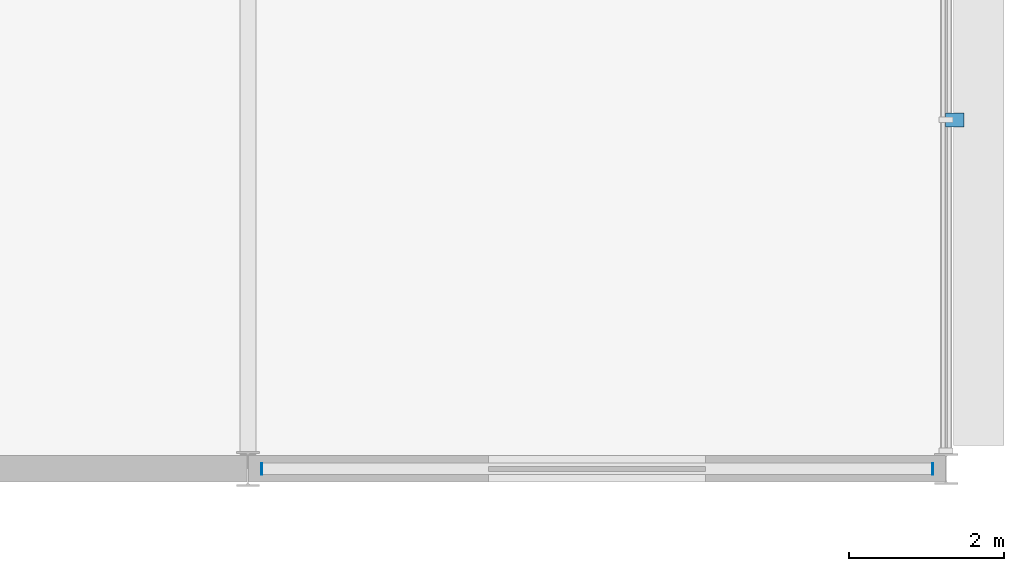
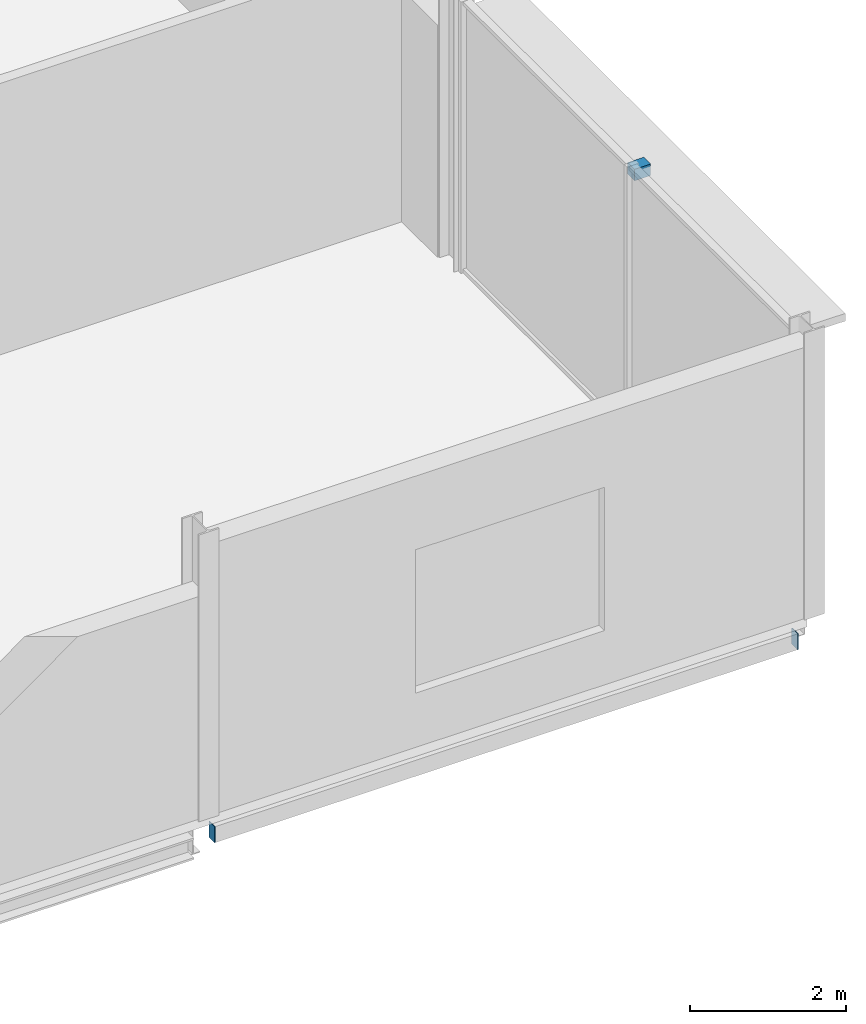
# One storey, part 56 of 73: 3 discrete accessories.
"""IFC4 building model written with IfcOpenShell, lengths in metres."""

import ifcopenshell
import ifcopenshell.guid

model = None  # the IFC model being written
_history = None  # IfcOwnerHistory: only IFC2X3 demands one
_inside = {}  # id of a spatial element -> (the spatial element, [elements in it])
_under = {}  # id of a project, library or spatial element -> (it, [spatial elements below it])
_declared = {}  # id of a project -> (the project, [libraries it declares])
_typed = {}  # id of a type object -> (the type object, [elements of that type])
_made_of = {}  # id of a material, layer set ... -> (it, [elements and type objects made of it])


def new_model(schema):
    """Start an empty IFC model of exactly this schema.

    Asked for "IFC4X3", IfcOpenShell would pick the latest addendum, in which some entities
    have other attributes; the version numbers below select the first issue.
    IFC2X3 requires an IfcOwnerHistory on every rooted entity: one is made here for all.
    """
    global model, _history
    if schema == "IFC4X3":
        model = ifcopenshell.file(schema_version=(4, 3, 0, 0))
    else:
        model = ifcopenshell.file(schema=schema)
    _inside.clear()
    _under.clear()
    _declared.clear()
    _typed.clear()
    _made_of.clear()
    _history = None
    if model.schema == "IFC2X3":
        org = make("IfcOrganization", Name="unknown")
        user = make(
            "IfcPersonAndOrganization",
            ThePerson=make("IfcPerson", FamilyName="unknown"),
            TheOrganization=org,
        )
        app = make(
            "IfcApplication",
            ApplicationDeveloper=org,
            Version="unknown",
            ApplicationFullName="unknown",
            ApplicationIdentifier="unknown",
        )
        _history = make(
            "IfcOwnerHistory",
            OwningUser=user,
            OwningApplication=app,
            ChangeAction="ADDED",
            CreationDate=0,
        )
    return model


def make(cls, **values):
    """One entity of the class cls with the attributes given. An attribute that is None is left unset."""
    return model.create_entity(
        cls, **{name: value for name, value in values.items() if value is not None}
    )


def rooted(cls, **values):
    """An entity with a GlobalId (a new one), such as an element, a storey or a relation."""
    return make(cls, GlobalId=ifcopenshell.guid.new(), OwnerHistory=_history, **values)


def si_unit(unit_type, name, prefix=None):
    """IfcSIUnit, for example si_unit("LENGTHUNIT", "METRE", prefix="MILLI")."""
    return make("IfcSIUnit", UnitType=unit_type, Prefix=prefix, Name=name)


def assignment(units):
    """IfcUnitAssignment: the units of a project."""
    return None if units is None else make("IfcUnitAssignment", Units=units)


def point(xyz):
    """IfcCartesianPoint."""
    return None if xyz is None else make("IfcCartesianPoint", Coordinates=xyz)


def direction(xyz):
    """IfcDirection."""
    return None if xyz is None else make("IfcDirection", DirectionRatios=xyz)


def frame(location, z_axis=None, x_axis=None):
    """IfcAxis2Placement3D, a coordinate frame: its origin and axes. An axis left out is left unset."""
    return make(
        "IfcAxis2Placement3D",
        Location=point(location),
        Axis=direction(z_axis),
        RefDirection=direction(x_axis),
    )


def frame_2d(location, x_axis=None):
    """IfcAxis2Placement2D, a coordinate frame in the plane: its origin and x axis."""
    return make(
        "IfcAxis2Placement2D", Location=point(location), RefDirection=direction(x_axis)
    )


def origin():
    """The frame at (0, 0, 0) with its axes left unset."""
    return frame((0.0, 0.0, 0.0))


def origin_2d():
    """The frame at (0, 0) in the plane with its x axis left unset."""
    return frame_2d((0.0, 0.0))


def place(relative_to, where):
    """IfcLocalPlacement: puts the frame where relative to a parent placement (None: the world)."""
    return make(
        "IfcLocalPlacement", PlacementRelTo=relative_to, RelativePlacement=where
    )


def context(
    kind, dimensions, precision=None, world=None, true_north=None, identifier=None
):
    """IfcGeometricRepresentationContext, for example the 3D "Model" context."""
    return make(
        "IfcGeometricRepresentationContext",
        ContextIdentifier=identifier,
        ContextType=kind,
        CoordinateSpaceDimension=dimensions,
        Precision=precision,
        WorldCoordinateSystem=world,
        TrueNorth=true_north,
    )


def subcontext(parent, identifier, kind, view, scale=None):
    """IfcGeometricRepresentationSubContext, for example "Body" below "Model"."""
    return make(
        "IfcGeometricRepresentationSubContext",
        ContextIdentifier=identifier,
        ContextType=kind,
        ParentContext=parent,
        TargetScale=scale,
        TargetView=view,
    )


def project(units=None, contexts=None):
    """IfcProject with its units and contexts."""
    return rooted(
        "IfcProject",
        Name="project",
        RepresentationContexts=contexts,
        UnitsInContext=assignment(units),
    )


def spatial(cls, under=None, at=None, **own):
    """A site, building, storey or space (cls), placed at a placement, below another one or the project."""
    s = rooted(cls, ObjectPlacement=at, **own)
    if under is not None:
        _under.setdefault(under.id(), (under, []))[1].append(s)
    return s


def polyline(points):
    """IfcPolyline through the points."""
    return make("IfcPolyline", Points=[point(p) for p in points])


def profile(cls, at=None, kind="AREA", **sizes):
    """A parametric profile (cls). Its sizes go by their IFC names, for example OverallWidth=200.0."""
    return make(cls, ProfileType=kind, Position=at, **sizes)


def rectangle(**sizes):
    """IfcRectangleProfileDef."""
    return profile("IfcRectangleProfileDef", **sizes)


def outline(outer, holes=None, kind="AREA"):
    """IfcArbitraryClosedProfileDef: a profile drawn as a closed curve; with holes, ...WithVoids."""
    if holes is None:
        return make("IfcArbitraryClosedProfileDef", ProfileType=kind, OuterCurve=outer)
    return make(
        "IfcArbitraryProfileDefWithVoids",
        ProfileType=kind,
        OuterCurve=outer,
        InnerCurves=holes,
    )


def extrude(swept, where, along, depth):
    """IfcExtrudedAreaSolid: the profile swept, set in the frame where, extruded along a direction by depth."""
    return make(
        "IfcExtrudedAreaSolid",
        SweptArea=swept,
        Position=where,
        ExtrudedDirection=direction(along),
        Depth=depth,
    )


def shape(context_of_items, identifier, shape_type, items):
    """IfcShapeRepresentation: the items that make up one representation, for example the "Body"."""
    return make(
        "IfcShapeRepresentation",
        ContextOfItems=context_of_items,
        RepresentationIdentifier=identifier,
        RepresentationType=shape_type,
        Items=items,
    )


def material(Name=None, Category=None):
    """IfcMaterial."""
    return make("IfcMaterial", Name=Name, Category=Category)


def layer(
    of_material, thickness, ventilated=None, Name=None, Category=None, Priority=None
):
    """IfcMaterialLayer: one layer of a wall or slab, of a material (None: an air gap)."""
    return make(
        "IfcMaterialLayer",
        Material=of_material,
        LayerThickness=thickness,
        IsVentilated=ventilated,
        Name=Name,
        Category=Category,
        Priority=Priority,
    )


def layer_set(layers, Name=None):
    """IfcMaterialLayerSet."""
    return make("IfcMaterialLayerSet", MaterialLayers=layers, LayerSetName=Name)


def made_of(thing, what):
    """Note that an element or type object is made of a material, layer set ...; save() writes the relation."""
    if what is not None:
        _made_of.setdefault(what.id(), (what, []))[1].append(thing)
    return thing


def type_object(cls, material=None, **own):
    """A type object (cls), such as IfcWallType, which elements share."""
    return made_of(rooted(cls, **own), material)


def element(
    cls,
    number,
    at=None,
    inside=None,
    cuts=None,
    type_object=None,
    material=None,
    context=None,
    identifier="Body",
    shape_type=None,
    held_by="IfcProductDefinitionShape",
    body=None,
    shapes=None,
    **own,
):
    """One element of the class cls, such as IfcWall. Its Tag is "e" and its number.

    at: its placement. inside: the storey or other place that contains it. cuts: it is an
    opening in that element (IfcRelVoidsElement). A single representation is given by context,
    identifier, shape_type and body (its items); several are given by shapes. held_by: the class
    of the entity that holds the representations. save() writes the other relations.
    """
    e = rooted(cls, Tag="e%d" % number, ObjectPlacement=at, **own)
    if body is not None:
        shapes = [shape(context, identifier, shape_type, body)]
    if shapes is not None:
        e.Representation = make(held_by, Representations=shapes)
    if inside is not None:
        _inside.setdefault(inside.id(), (inside, []))[1].append(e)
    if cuts is not None:
        rooted(
            "IfcRelVoidsElement", RelatingBuildingElement=cuts, RelatedOpeningElement=e
        )
    if type_object is not None:
        _typed.setdefault(type_object.id(), (type_object, []))[1].append(e)
    return made_of(e, material)


def aggregate(whole, parts):
    """IfcRelAggregates: a whole, such as a stair, and the parts it consists of."""
    return rooted("IfcRelAggregates", RelatingObject=whole, RelatedObjects=parts)


def save(model, path):
    """Write the relations noted so far, then the file.

    IfcRelAggregates (storeys below a building ...), IfcRelContainedInSpatialStructure (elements
    in a storey), IfcRelDefinesByType, IfcRelAssociatesMaterial and IfcRelDeclares: one each for
    every whole, place, type object, material and project.
    """
    for whole, parts in _under.values():
        aggregate(whole, parts)
    for where, things in _inside.values():
        rooted(
            "IfcRelContainedInSpatialStructure",
            RelatedElements=things,
            RelatingStructure=where,
        )
    for kind, things in _typed.values():
        rooted("IfcRelDefinesByType", RelatedObjects=things, RelatingType=kind)
    for what, things in _made_of.values():
        rooted("IfcRelAssociatesMaterial", RelatedObjects=things, RelatingMaterial=what)
    for by, libraries in _declared.values():
        rooted("IfcRelDeclares", RelatingContext=by, RelatedDefinitions=libraries)
    model.write(path)


model = new_model("IFC4")

# Units and contexts
model_context = context("Model", 3, precision=1e-05, world=origin(), true_north=direction((0.0, 1.0)))
body_context = subcontext(model_context, "Body", "Model", "MODEL_VIEW")
ifc_project = project(units=[si_unit("LENGTHUNIT", "METRE"), si_unit("AREAUNIT", "SQUARE_METRE"), si_unit("VOLUMEUNIT", "CUBIC_METRE"), si_unit("PLANEANGLEUNIT", "RADIAN"), si_unit("MASSUNIT", "GRAM", prefix="KILO")], contexts=[model_context])

# Site, building, storey
site_placement = place(None, origin())
site = spatial("IfcSite", under=ifc_project, at=site_placement, CompositionType="ELEMENT")
building_placement = place(site_placement, origin())
building = spatial("IfcBuilding", under=site, at=building_placement, Name="Kisiwana Market Hall", CompositionType="ELEMENT")
storey_placement = place(building_placement, frame((0.0, 0.0, 33.300048828125)))
storey = spatial("IfcBuildingStorey", under=building, at=storey_placement, Name="L07", CompositionType="ELEMENT", Elevation=33.300048828125)

# Discrete accessories
ifc_material_1 = material(Name="Steel S355", Category="steel")
discrete_accessory_type_1 = type_object("IfcDiscreteAccessoryType", Name="ACC-BRACKET-STL", PredefinedType="BRACKET", material=ifc_material_1)
discrete_accessory_1_placement = place(storey_placement, frame((198.110107421875, 13.5, 4.044921875), z_axis=(0.0, 0.0, 1.0), x_axis=(0.0, 1.0, 0.0)))
element("IfcDiscreteAccessory", 1, at=discrete_accessory_1_placement, inside=storey, type_object=discrete_accessory_type_1, Name="Sunshade steel bracket BRK-145", PredefinedType="BRACKET", context=body_context, shape_type="SweptSolid", body=[
    extrude(rectangle(XDim=0.179931640625, YDim=0.239990234375, at=origin_2d()), origin(), (0.0, 0.0, 1.0), 0.179931640625),
])
ifc_material_2 = material(Name="Steel S355", Category="steel")
ifc_layer = layer(ifc_material_2, 0.011962890625)
ifc_layer_set = layer_set([ifc_layer], Name="ACC-ENDCAP-STL")
discrete_accessory_type_2 = type_object("IfcDiscreteAccessoryType", Name="ACC-ENDCAP-STL", PredefinedType="USERDEFINED", material=ifc_layer_set)
discrete_accessory_2_placement = place(storey_placement, frame((0.0, 0.0, -0.530029296875)))
element("IfcDiscreteAccessory", 2, at=discrete_accessory_2_placement, inside=storey, type_object=discrete_accessory_type_2, Name="End cap plate EC-0093", ObjectType="End cap plate", PredefinedType="USERDEFINED", context=body_context, shape_type="SweptSolid", body=[
    extrude(outline(polyline([(197.81884765625, 8.925048828125), (197.830810546875, 8.925048828125), (197.830810546875, 9.074951171875), (197.81884765625, 9.074951171875), (197.81884765625, 8.925048828125)])), origin(), (0.0, 0.0, 1.0), 0.25),
])
discrete_accessory_3_placement = place(storey_placement, frame((0.0, 0.0, -0.530029296875)))
element("IfcDiscreteAccessory", 3, at=discrete_accessory_3_placement, inside=storey, type_object=discrete_accessory_type_2, Name="End cap plate EC-0094", ObjectType="End cap plate", PredefinedType="USERDEFINED", context=body_context, shape_type="SweptSolid", body=[
    extrude(outline(polyline([(189.183349609375, 8.925048828125), (189.183349609375, 9.074951171875), (189.17138671875, 9.074951171875), (189.17138671875, 8.925048828125), (189.183349609375, 8.925048828125)])), origin(), (0.0, 0.0, 1.0), 0.25),
])

save(model, "model.ifc")
